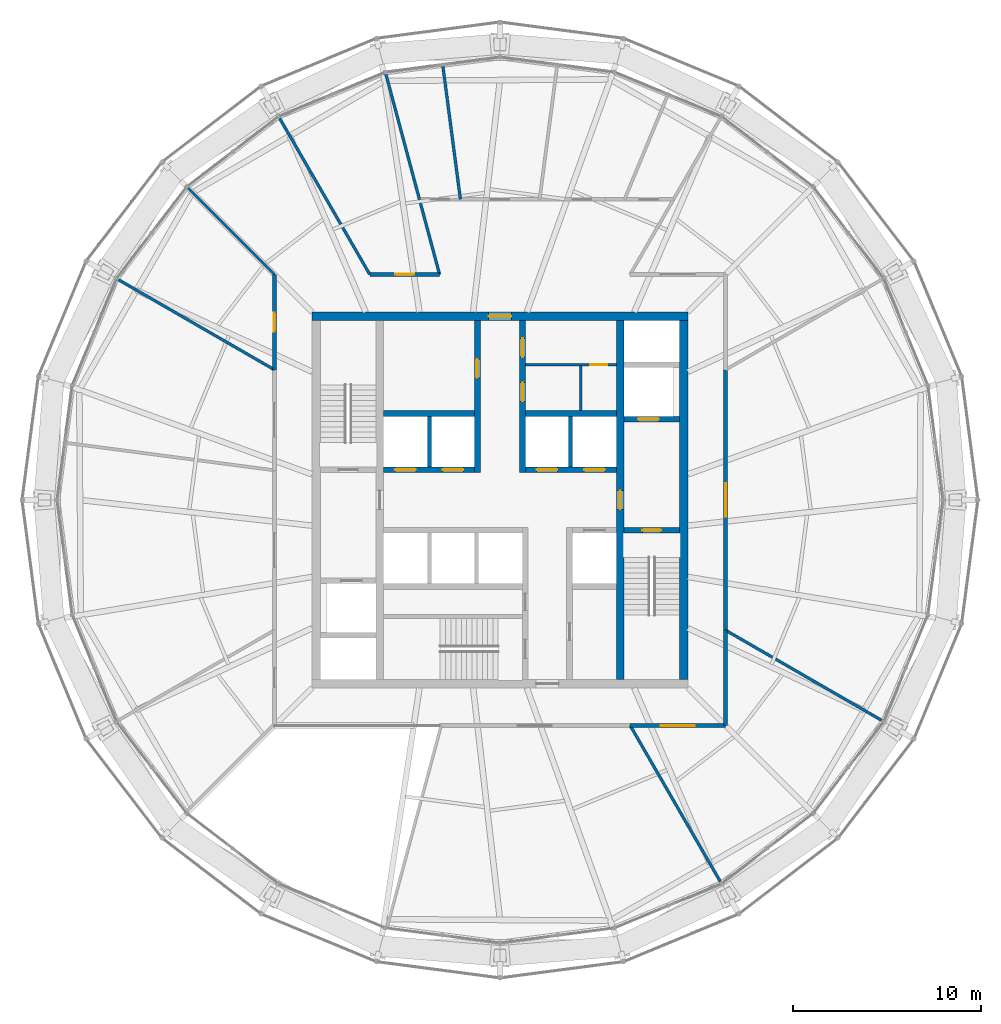
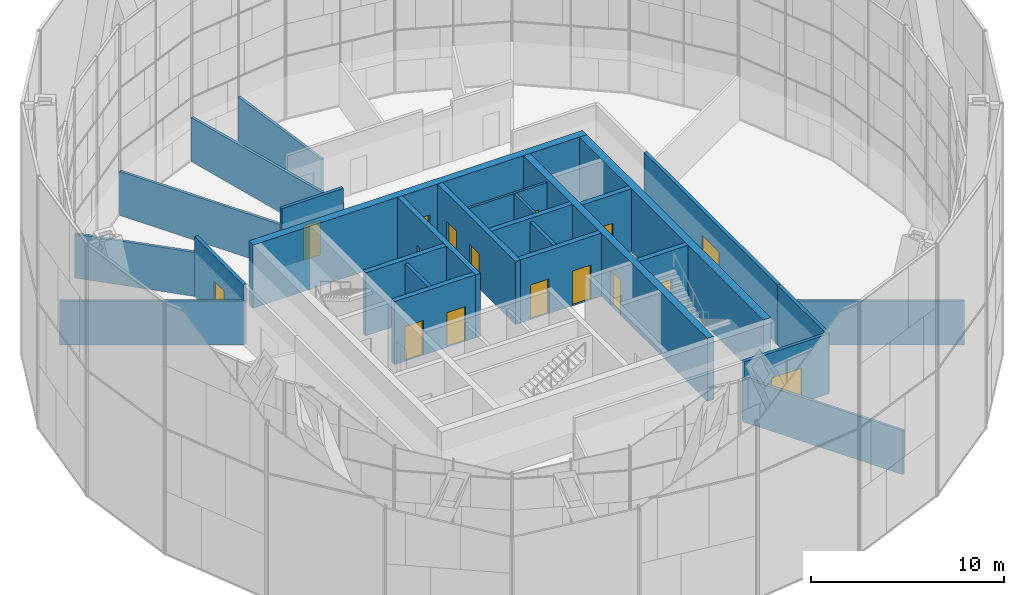
# One storey, part 24 of 26: 27 walls, 16 doors, 16 openings.
"""IFC4 building model written with IfcOpenShell, lengths in metres."""

from ifc_helpers import new_model, si_unit, direction, frame, frame_2d, origin, place, context, subcontext, project, spatial, rectangle, extrude, material, layer, layer_set, type_object, element, fill, save


model = new_model("IFC4")

# Units and contexts
model_context = context("Model", 3, precision=1e-05, world=origin(), true_north=direction((0.0, 1.0)))
body_context = subcontext(model_context, "Body", "Model", "MODEL_VIEW")
ifc_project = project(units=[si_unit("LENGTHUNIT", "METRE"), si_unit("AREAUNIT", "SQUARE_METRE"), si_unit("VOLUMEUNIT", "CUBIC_METRE"), si_unit("PLANEANGLEUNIT", "RADIAN"), si_unit("MASSUNIT", "GRAM", prefix="KILO")], contexts=[model_context])

# Site, building, storey
site_placement = place(None, origin())
site = spatial("IfcSite", under=ifc_project, at=site_placement, CompositionType="ELEMENT")
building_placement = place(site_placement, origin())
building = spatial("IfcBuilding", under=site, at=building_placement, Name="Golbaran Civic Tower", CompositionType="ELEMENT")
storey_placement = place(building_placement, frame((0.0, 0.0, 199.0)))
storey = spatial("IfcBuildingStorey", under=building, at=storey_placement, Name="L48", CompositionType="ELEMENT", Elevation=199.0)

# Wall, opening, door
ifc_material_1 = material(Name="Concrete block", Category="concrete")
ifc_layer_1 = layer(ifc_material_1, 0.14990234375, Name="Concrete block")
ifc_layer_set_1 = layer_set([ifc_layer_1], Name="Concrete block")
wall_type_1 = type_object("IfcWallType", Name="BLOCKWORK PARTITION 150", PredefinedType="PARTITIONING", material=ifc_layer_set_1)
wall_1_placement = place(storey_placement, frame((1.35009765625, 7.199951171875, 0.0), z_axis=(0.0, 0.0, 1.0), x_axis=(1.0, 0.0, 0.0)))
wall_1 = element("IfcWall", 1, at=wall_1_placement, inside=storey, type_object=wall_type_1, Name="Toilet block partition TN1 L48", PredefinedType="PARTITIONING", context=body_context, shape_type="SweptSolid", body=[
    extrude(rectangle(XDim=4.849853515625, YDim=0.14990234375, at=frame_2d((2.4248046875, 0.0))), origin(), (0.0, 0.0, 1.0), 3.75),
])
opening_1_placement = place(wall_1_placement, frame((3.449951171875, 0.0, 0.0)))
opening_1 = element("IfcOpeningElement", 2, at=opening_1_placement, cuts=wall_1, Name="Opening L48.CLN", PredefinedType="OPENING", context=body_context, shape_type="SweptSolid", body=[
    extrude(rectangle(XDim=0.89990234375, YDim=2.199951171875, at=frame_2d((0.449951171875, 1.10009765625))), frame((0.0, 0.0849609375, 0.0), z_axis=(0.0, -1.0, 0.0), x_axis=(1.0, 0.0, 0.0)), (0.0, 0.0, 1.0), 0.169921875),
])
ifc_material_2 = material(Name="Timber door set in steel frame", Category="steel")
door_type_1 = type_object("IfcDoorType", Name="RISER DOOR 900x2200", OperationType="SINGLE_SWING_LEFT", PredefinedType="DOOR", material=ifc_material_2)
door_1_placement = place(opening_1_placement, origin())
door_1 = element("IfcDoor", 3, at=door_1_placement, inside=storey, type_object=door_type_1, Name="Housekeeping Store door", OperationType="SINGLE_SWING_RIGHT", OverallHeight=2.199951171875, OverallWidth=0.89990234375, PredefinedType="DOOR", context=body_context, shape_type="SweptSolid", body=[
    extrude(rectangle(XDim=0.89990234375, YDim=2.199951171875, at=frame_2d((0.449951171875, 1.10009765625))), frame((0.0, 0.02490234375, 0.0), z_axis=(0.0, -1.0, 0.0), x_axis=(1.0, 0.0, 0.0)), (0.0, 0.0, 1.0), 0.050048828125),
])
fill(opening_1, door_1)

# Wall
wall_2_placement = place(storey_placement, frame((4.300048828125, 4.75, 0.0), z_axis=(0.0, 0.0, 1.0), x_axis=(0.0, 1.0, 0.0)))
element("IfcWall", 4, at=wall_2_placement, inside=storey, type_object=wall_type_1, Name="Toilet block partition TN2 L48", PredefinedType="PARTITIONING", context=body_context, shape_type="SweptSolid", body=[
    extrude(rectangle(XDim=2.375, YDim=0.14990234375, at=frame_2d((1.1875, 0.0))), origin(), (0.0, 0.0, 1.0), 3.75),
])

# Wall, opening, door
ifc_material_3 = material(Name="Concrete C50/60", Category="concrete")
ifc_layer_2 = layer(ifc_material_3, 0.39990234375, Name="Concrete C50/60")
ifc_layer_set_2 = layer_set([ifc_layer_2], Name="Concrete C50/60")
wall_type_2 = type_object("IfcWallType", Name="CORE WALL CONCRETE 400", PredefinedType="SOLIDWALL", material=ifc_layer_set_2)
wall_3_placement = place(storey_placement, frame((6.39990234375, 9.550048828125, 0.0), z_axis=(0.0, 0.0, 1.0), x_axis=(0.0, -1.0, 0.0)))
wall_3 = element("IfcWall", 5, at=wall_3_placement, inside=storey, type_object=wall_type_2, Name="Core wall IE L48", PredefinedType="SOLIDWALL", context=body_context, shape_type="SweptSolid", body=[
    extrude(rectangle(XDim=19.10009765625, YDim=0.39990234375, at=frame_2d((9.550048828125, 0.0))), origin(), (0.0, 0.0, 1.0), 4.0),
])
opening_2_placement = place(wall_3_placement, frame((9.050048828125, 0.0, 0.0)))
opening_2 = element("IfcOpeningElement", 6, at=opening_2_placement, cuts=wall_3, Name="Opening L48.FL2", PredefinedType="OPENING", context=body_context, shape_type="SweptSolid", body=[
    extrude(rectangle(XDim=1.0, YDim=2.199951171875, at=frame_2d((0.5, 1.10009765625))), frame((0.0, 0.2099609375, 0.0), z_axis=(0.0, -1.0, 0.0), x_axis=(1.0, 0.0, 0.0)), (0.0, 0.0, 1.0), 0.419921875),
])
door_type_2 = type_object("IfcDoorType", Name="STAIR DOOR 1000x2200", OperationType="SINGLE_SWING_LEFT", PredefinedType="DOOR", material=ifc_material_2)
door_2_placement = place(opening_2_placement, origin())
door_2 = element("IfcDoor", 7, at=door_2_placement, inside=storey, type_object=door_type_2, Name="Fire-fighting lobby FL2 door", OperationType="SINGLE_SWING_RIGHT", OverallHeight=2.199951171875, OverallWidth=1.0, PredefinedType="DOOR", context=body_context, shape_type="SweptSolid", body=[
    extrude(rectangle(XDim=1.0, YDim=2.199951171875, at=frame_2d((0.5, 1.10009765625))), frame((0.0, 0.02490234375, 0.0), z_axis=(0.0, -1.0, 0.0), x_axis=(1.0, 0.0, 0.0)), (0.0, 0.0, 1.0), 0.050048828125),
])
fill(opening_2, door_2)

ifc_layer_3 = layer(ifc_material_3, 0.449951171875, Name="Concrete C50/60")
ifc_layer_set_3 = layer_set([ifc_layer_3], Name="Concrete C50/60")
wall_type_3 = type_object("IfcWallType", Name="CORE WALL CONCRETE 450", PredefinedType="SOLIDWALL", material=ifc_layer_set_3)
wall_4_placement = place(storey_placement, frame((-10.0, 9.77490234375, 0.0), z_axis=(0.0, 0.0, 1.0), x_axis=(1.0, 0.0, 0.0)))
wall_4 = element("IfcWall", 8, at=wall_4_placement, inside=storey, type_object=wall_type_3, Name="Core wall CN L48", PredefinedType="SOLIDWALL", context=body_context, shape_type="SweptSolid", body=[
    extrude(rectangle(XDim=20.0, YDim=0.449951171875, at=frame_2d((10.0, 0.0))), origin(), (0.0, 0.0, 1.0), 4.0),
])
opening_3_placement = place(wall_4_placement, frame((9.39990234375, 0.0, 0.0)))
opening_3 = element("IfcOpeningElement", 9, at=opening_3_placement, cuts=wall_4, Name="Opening L48.CN", PredefinedType="OPENING", context=body_context, shape_type="SweptSolid", body=[
    extrude(rectangle(XDim=1.199951171875, YDim=2.199951171875, at=frame_2d((0.60009765625, 1.10009765625))), frame((0.0, 0.23486328125, 0.0), z_axis=(0.0, -1.0, 0.0), x_axis=(1.0, 0.0, 0.0)), (0.0, 0.0, 1.0), 0.469970703125),
])
door_type_3 = type_object("IfcDoorType", Name="CORE DOOR 1200x2200", OperationType="DOUBLE_DOOR_SINGLE_SWING", PredefinedType="DOOR", material=ifc_material_2)
door_3_placement = place(opening_3_placement, origin())
door_3 = element("IfcDoor", 10, at=door_3_placement, inside=storey, type_object=door_type_3, Name="Core door north", OperationType="DOUBLE_DOOR_SINGLE_SWING", OverallHeight=2.199951171875, OverallWidth=1.199951171875, PredefinedType="DOOR", context=body_context, shape_type="SweptSolid", body=[
    extrude(rectangle(XDim=1.199951171875, YDim=2.199951171875, at=frame_2d((0.60009765625, 1.10009765625))), frame((0.0, 0.02490234375, 0.0), z_axis=(0.0, -1.0, 0.0), x_axis=(1.0, 0.0, 0.0)), (0.0, 0.0, 1.0), 0.050048828125),
])
fill(opening_3, door_3)

# Wall
wall_5_placement = place(storey_placement, frame((9.77490234375, -9.550048828125, 0.0), z_axis=(0.0, 0.0, 1.0), x_axis=(0.0, 1.0, 0.0)))
element("IfcWall", 11, at=wall_5_placement, inside=storey, type_object=wall_type_3, Name="Core wall CE L48", PredefinedType="SOLIDWALL", context=body_context, shape_type="SweptSolid", body=[
    extrude(rectangle(XDim=19.10009765625, YDim=0.449951171875, at=frame_2d((9.550048828125, 0.0))), origin(), (0.0, 0.0, 1.0), 4.0),
])

# Wall, opening, door
ifc_material_4 = material(Name="Gypsum board on steel studs, fire-rated", Category="steel")
ifc_layer_4 = layer(ifc_material_4, 0.199951171875, Name="Gypsum board on steel studs, fire-rated")
ifc_layer_set_4 = layer_set([ifc_layer_4], Name="Gypsum board on steel studs, fire-rated")
wall_type_4 = type_object("IfcWallType", Name="CORRIDOR WALL 200", PredefinedType="PARTITIONING", material=ifc_layer_set_4)
wall_6_placement = place(storey_placement, frame((12.0, -6.92822265625, 0.0), z_axis=(0.0, 0.0, 1.0), x_axis=(0.0, 1.0, 0.0)))
wall_6 = element("IfcWall", 12, at=wall_6_placement, inside=storey, type_object=wall_type_4, Name="Corridor wall L48", PredefinedType="PARTITIONING", context=body_context, shape_type="SweptSolid", body=[
    extrude(rectangle(XDim=13.8564453125, YDim=0.199951171875, at=frame_2d((6.92822265625, 0.0))), origin(), (0.0, 0.0, 1.0), 3.800048828125),
])
opening_4_placement = place(wall_6_placement, frame((6.0283203125, 0.0, 0.0)))
opening_4 = element("IfcOpeningElement", 13, at=opening_4_placement, cuts=wall_6, Name="Opening L48.05", PredefinedType="OPENING", context=body_context, shape_type="SweptSolid", body=[
    extrude(rectangle(XDim=1.800048828125, YDim=2.199951171875, at=frame_2d((0.89990234375, 1.10009765625))), frame((0.0, 0.10986328125, 0.0), z_axis=(0.0, -1.0, 0.0), x_axis=(1.0, 0.0, 0.0)), (0.0, 0.0, 1.0), 0.219970703125),
])
door_type_4 = type_object("IfcDoorType", Name="OFFICE DOUBLE DOOR 1800x2200", OperationType="DOUBLE_DOOR_SINGLE_SWING", PredefinedType="DOOR", material=ifc_material_2)
door_4_placement = place(opening_4_placement, origin())
door_4 = element("IfcDoor", 14, at=door_4_placement, inside=storey, type_object=door_type_4, Name="Open Office door L48", OperationType="DOUBLE_DOOR_SINGLE_SWING", OverallHeight=2.199951171875, OverallWidth=1.800048828125, PredefinedType="DOOR", context=body_context, shape_type="SweptSolid", body=[
    extrude(rectangle(XDim=1.800048828125, YDim=2.199951171875, at=frame_2d((0.89990234375, 1.10009765625))), frame((0.0, 0.02490234375, 0.0), z_axis=(0.0, -1.0, 0.0), x_axis=(1.0, 0.0, 0.0)), (0.0, 0.0, 1.0), 0.050048828125),
])
fill(opening_4, door_4)

wall_7_placement = place(storey_placement, frame((-3.21533203125, 12.0, 0.0), z_axis=(0.0, 0.0, 1.0), x_axis=(-1.0, 0.0, 0.0)))
wall_7 = element("IfcWall", 15, at=wall_7_placement, inside=storey, type_object=wall_type_4, Name="Corridor wall L48", PredefinedType="PARTITIONING", context=body_context, shape_type="SweptSolid", body=[
    extrude(rectangle(XDim=3.712890625, YDim=0.199951171875, at=frame_2d((1.8564453125, 0.0))), origin(), (0.0, 0.0, 1.0), 3.800048828125),
])
opening_5_placement = place(wall_7_placement, frame((1.3564453125, 0.0, 0.0)))
opening_5 = element("IfcOpeningElement", 16, at=opening_5_placement, cuts=wall_7, Name="Opening L48.07", PredefinedType="OPENING", context=body_context, shape_type="SweptSolid", body=[
    extrude(rectangle(XDim=1.0, YDim=2.199951171875, at=frame_2d((0.5, 1.10009765625))), frame((0.0, 0.10986328125, 0.0), z_axis=(0.0, -1.0, 0.0), x_axis=(1.0, 0.0, 0.0)), (0.0, 0.0, 1.0), 0.219970703125),
])
door_type_5 = type_object("IfcDoorType", Name="OFFICE DOOR 1000x2200", OperationType="SINGLE_SWING_LEFT", PredefinedType="DOOR", material=ifc_material_2)
door_5_placement = place(opening_5_placement, origin())
door_5 = element("IfcDoor", 17, at=door_5_placement, inside=storey, type_object=door_type_5, Name="Meeting Room door L48", OperationType="SINGLE_SWING_RIGHT", OverallHeight=2.199951171875, OverallWidth=1.0, PredefinedType="DOOR", context=body_context, shape_type="SweptSolid", body=[
    extrude(rectangle(XDim=1.0, YDim=2.199951171875, at=frame_2d((0.5, 1.10009765625))), frame((0.0, 0.02490234375, 0.0), z_axis=(0.0, -1.0, 0.0), x_axis=(1.0, 0.0, 0.0)), (0.0, 0.0, 1.0), 0.050048828125),
])
fill(opening_5, door_5)

wall_8_placement = place(storey_placement, frame((-12.0, 12.0, 0.0), z_axis=(0.0, 0.0, 1.0), x_axis=(0.0, -1.0, 0.0)))
wall_8 = element("IfcWall", 18, at=wall_8_placement, inside=storey, type_object=wall_type_4, Name="Corridor wall L48", PredefinedType="PARTITIONING", context=body_context, shape_type="SweptSolid", body=[
    extrude(rectangle(XDim=5.07177734375, YDim=0.199951171875, at=frame_2d((2.535888671875, 0.0))), origin(), (0.0, 0.0, 1.0), 3.800048828125),
])
opening_6_placement = place(wall_8_placement, frame((2.035888671875, 0.0, 0.0)))
opening_6 = element("IfcOpeningElement", 19, at=opening_6_placement, cuts=wall_8, Name="Opening L48.08", PredefinedType="OPENING", context=body_context, shape_type="SweptSolid", body=[
    extrude(rectangle(XDim=1.0, YDim=2.199951171875, at=frame_2d((0.5, 1.10009765625))), frame((0.0, 0.10986328125, 0.0), z_axis=(0.0, -1.0, 0.0), x_axis=(1.0, 0.0, 0.0)), (0.0, 0.0, 1.0), 0.219970703125),
])
door_6_placement = place(opening_6_placement, origin())
door_6 = element("IfcDoor", 20, at=door_6_placement, inside=storey, type_object=door_type_5, Name="Interview Room door L48", OperationType="SINGLE_SWING_RIGHT", OverallHeight=2.199951171875, OverallWidth=1.0, PredefinedType="DOOR", context=body_context, shape_type="SweptSolid", body=[
    extrude(rectangle(XDim=1.0, YDim=2.199951171875, at=frame_2d((0.5, 1.10009765625))), frame((0.0, 0.02490234375, 0.0), z_axis=(0.0, -1.0, 0.0), x_axis=(1.0, 0.0, 0.0)), (0.0, 0.0, 1.0), 0.050048828125),
])
fill(opening_6, door_6)

wall_9_placement = place(storey_placement, frame((6.92822265625, -12.0, 0.0), z_axis=(0.0, 0.0, 1.0), x_axis=(1.0, 0.0, 0.0)))
wall_9 = element("IfcWall", 21, at=wall_9_placement, inside=storey, type_object=wall_type_4, Name="Corridor wall L48", PredefinedType="PARTITIONING", context=body_context, shape_type="SweptSolid", body=[
    extrude(rectangle(XDim=5.07177734375, YDim=0.199951171875, at=frame_2d((2.535888671875, 0.0))), origin(), (0.0, 0.0, 1.0), 3.800048828125),
])
opening_7_placement = place(wall_9_placement, frame((1.635986328125, 0.0, 0.0)))
opening_7 = element("IfcOpeningElement", 22, at=opening_7_placement, cuts=wall_9, Name="Opening L48.13", PredefinedType="OPENING", context=body_context, shape_type="SweptSolid", body=[
    extrude(rectangle(XDim=1.800048828125, YDim=2.199951171875, at=frame_2d((0.89990234375, 1.10009765625))), frame((0.0, 0.10986328125, 0.0), z_axis=(0.0, -1.0, 0.0), x_axis=(1.0, 0.0, 0.0)), (0.0, 0.0, 1.0), 0.219970703125),
])
door_7_placement = place(opening_7_placement, origin())
door_7 = element("IfcDoor", 23, at=door_7_placement, inside=storey, type_object=door_type_4, Name="Open Office door L48", OperationType="DOUBLE_DOOR_SINGLE_SWING", OverallHeight=2.199951171875, OverallWidth=1.800048828125, PredefinedType="DOOR", context=body_context, shape_type="SweptSolid", body=[
    extrude(rectangle(XDim=1.800048828125, YDim=2.199951171875, at=frame_2d((0.89990234375, 1.10009765625))), frame((0.0, 0.02490234375, 0.0), z_axis=(0.0, -1.0, 0.0), x_axis=(1.0, 0.0, 0.0)), (0.0, 0.0, 1.0), 0.050048828125),
])
fill(opening_7, door_7)

# Walls
wall_10_placement = place(storey_placement, frame((12.0, -12.0, 0.0), z_axis=(0.0, 0.0, 1.0), x_axis=(0.0, 1.0, 0.0)))
element("IfcWall", 24, at=wall_10_placement, inside=storey, type_object=wall_type_4, Name="Corridor wall L48", PredefinedType="PARTITIONING", context=body_context, shape_type="SweptSolid", body=[
    extrude(rectangle(XDim=5.07177734375, YDim=0.199951171875, at=frame_2d((2.535888671875, 0.0))), origin(), (0.0, 0.0, 1.0), 3.800048828125),
])
ifc_layer_5 = layer(ifc_material_1, 0.199951171875, Name="Concrete block")
ifc_layer_set_5 = layer_set([ifc_layer_5], Name="Concrete block")
wall_type_5 = type_object("IfcWallType", Name="LIFT SEPARATOR WALL 200", PredefinedType="SOLIDWALL", material=ifc_layer_set_5)
for number, where, z_axis, x_axis, name in (
    (25, (-3.75, 1.75, 0.0), (0.0, 0.0, 1.0), (0.0, 1.0, 0.0), "Core partition SNW L48"),
    (26, (3.75, 1.75, 0.0), (0.0, 0.0, 1.0), (0.0, 1.0, 0.0), "Core partition SNE L48"),
):
    element("IfcWall", number, at=place(storey_placement, frame(where, z_axis=z_axis, x_axis=x_axis)), inside=storey, type_object=wall_type_5, Name=name, PredefinedType="SOLIDWALL", context=body_context, shape_type="SweptSolid", body=[
        extrude(rectangle(XDim=2.699951171875, YDim=0.199951171875, at=frame_2d((1.35009765625, 0.0))), origin(), (0.0, 0.0, 1.0), 3.75),
    ])
ifc_material_5 = material(Name="Gypsum board on steel studs", Category="steel")
ifc_layer_6 = layer(ifc_material_5, 0.14990234375, Name="Gypsum board on steel studs")
ifc_layer_set_6 = layer_set([ifc_layer_6], Name="Gypsum board on steel studs")
wall_type_6 = type_object("IfcWallType", Name="OFFICE PARTITION 150", PredefinedType="PARTITIONING", material=ifc_layer_set_6)
wall_11_placement = place(storey_placement, frame((12.0, -6.92822265625, 0.0), z_axis=(0.0, 0.0, 1.0), x_axis=(0.866030904871, -0.499990471717, 0.0)))
element("IfcWall", 27, at=wall_11_placement, inside=storey, type_object=wall_type_6, Name="Partition 330 L48", PredefinedType="PARTITIONING", context=body_context, shape_type="SweptSolid", body=[
    extrude(rectangle(XDim=9.619873046875, YDim=0.14990234375, at=frame_2d((4.81005859375, 0.0))), origin(), (0.0, 0.0, 1.0), 2.7900390625),
])
wall_12_placement = place(storey_placement, frame((-3.21533203125, 12.0, 0.0), z_axis=(0.0, 0.0, 1.0), x_axis=(-0.258831035528, 0.965922613384, 0.0)))
element("IfcWall", 28, at=wall_12_placement, inside=storey, type_object=wall_type_6, Name="Partition 105 L48", PredefinedType="PARTITIONING", context=body_context, shape_type="SweptSolid", body=[
    extrude(rectangle(XDim=11.052978515625, YDim=0.14990234375, at=frame_2d((5.5263671875, 0.0))), origin(), (0.0, 0.0, 1.0), 2.7900390625),
])
wall_13_placement = place(storey_placement, frame((-6.92822265625, 12.0, 0.0), z_axis=(0.0, 0.0, 1.0), x_axis=(-0.499990471717, 0.866030904871, 0.0)))
element("IfcWall", 29, at=wall_13_placement, inside=storey, type_object=wall_type_6, Name="Partition 120 L48", PredefinedType="PARTITIONING", context=body_context, shape_type="SweptSolid", body=[
    extrude(rectangle(XDim=9.619873046875, YDim=0.14990234375, at=frame_2d((4.81005859375, 0.0))), origin(), (0.0, 0.0, 1.0), 2.7900390625),
])
wall_14_placement = place(storey_placement, frame((-12.0, 12.0, 0.0), z_axis=(0.0, 0.0, 1.0), x_axis=(-0.707106781187, 0.707106781187, 0.0)))
element("IfcWall", 30, at=wall_14_placement, inside=storey, type_object=wall_type_6, Name="Partition 135 L48", PredefinedType="PARTITIONING", context=body_context, shape_type="SweptSolid", body=[
    extrude(rectangle(XDim=6.505615234375, YDim=0.14990234375, at=frame_2d((3.2529296875, 0.0))), origin(), (0.0, 0.0, 1.0), 2.7900390625),
])
for number, where, z_axis, x_axis, name in (
    (31, (-12.0, 6.92822265625, 0.0), (0.0, 0.0, 1.0), (-0.866030904871, 0.499990471717, 0.0), "Partition 150 L48"),
    (32, (6.92822265625, -12.0, 0.0), (0.0, 0.0, 1.0), (0.499990471717, -0.866030904871, 0.0), "Partition 300 L48"),
):
    element("IfcWall", number, at=place(storey_placement, frame(where, z_axis=z_axis, x_axis=x_axis)), inside=storey, type_object=wall_type_6, Name=name, PredefinedType="PARTITIONING", context=body_context, shape_type="SweptSolid", body=[
        extrude(rectangle(XDim=9.619873046875, YDim=0.14990234375, at=frame_2d((4.81005859375, 0.0))), origin(), (0.0, 0.0, 1.0), 2.7900390625),
    ])
wall_15_placement = place(storey_placement, frame((-2.1064453125, 16.0, 0.0), z_axis=(0.0, 0.0, 1.0), x_axis=(-0.130532379334, 0.991444046805, 0.0)))
element("IfcWall", 33, at=wall_15_placement, inside=storey, type_object=wall_type_6, Name="Partition 97.5 L48", PredefinedType="PARTITIONING", context=body_context, shape_type="SweptSolid", body=[
    extrude(rectangle(XDim=7.13720703125, YDim=0.14990234375, at=frame_2d((3.568603515625, 0.0))), origin(), (0.0, 0.0, 1.0), 2.7900390625),
])

# Wall, openings, doors
ifc_layer_7 = layer(ifc_material_3, 0.300048828125, Name="Concrete C50/60")
ifc_layer_set_7 = layer_set([ifc_layer_7], Name="Concrete C50/60")
wall_type_7 = type_object("IfcWallType", Name="SHAFT WALL CONCRETE 300", PredefinedType="SOLIDWALL", material=ifc_layer_set_7)
wall_16_placement = place(storey_placement, frame((-6.199951171875, 1.60009765625, 0.0), z_axis=(0.0, 0.0, 1.0), x_axis=(1.0, 0.0, 0.0)))
wall_16 = element("IfcWall", 34, at=wall_16_placement, inside=storey, type_object=wall_type_7, Name="Core wall FNW L48", PredefinedType="SOLIDWALL", context=body_context, shape_type="SweptSolid", body=[
    extrude(rectangle(XDim=4.849853515625, YDim=0.300048828125, at=frame_2d((2.4248046875, 0.0))), origin(), (0.0, 0.0, 1.0), 4.0),
])
opening_8_placement = place(wall_16_placement, frame((0.625, 0.0, 0.0)))
opening_8 = element("IfcOpeningElement", 35, at=opening_8_placement, cuts=wall_16, Name="Opening L48.LD-Z1H", PredefinedType="OPENING", context=body_context, shape_type="SweptSolid", body=[
    extrude(rectangle(XDim=1.10009765625, YDim=2.199951171875, at=frame_2d((0.550048828125, 1.10009765625))), frame((0.0, 0.159912109375, 0.0), z_axis=(0.0, -1.0, 0.0), x_axis=(1.0, 0.0, 0.0)), (0.0, 0.0, 1.0), 0.320068359375),
])
opening_9_placement = place(wall_16_placement, frame((3.14990234375, 0.0, 0.0)))
opening_9 = element("IfcOpeningElement", 36, at=opening_9_placement, cuts=wall_16, Name="Opening L48.LD-Z2H", PredefinedType="OPENING", context=body_context, shape_type="SweptSolid", body=[
    extrude(rectangle(XDim=1.10009765625, YDim=2.199951171875, at=frame_2d((0.550048828125, 1.10009765625))), frame((0.0, 0.159912109375, 0.0), z_axis=(0.0, -1.0, 0.0), x_axis=(1.0, 0.0, 0.0)), (0.0, 0.0, 1.0), 0.320068359375),
])
ifc_material_6 = material(Name="Stainless steel", Category="steel")
door_type_6 = type_object("IfcDoorType", Name="LIFT LANDING DOOR 1100x2200", OperationType="SLIDING_TO_LEFT", PredefinedType="DOOR", material=ifc_material_6)
door_8_placement = place(opening_8_placement, origin())
door_8 = element("IfcDoor", 37, at=door_8_placement, inside=storey, type_object=door_type_6, Name="Lift landing door Z1H", OperationType="SLIDING_TO_LEFT", OverallHeight=2.199951171875, OverallWidth=1.10009765625, PredefinedType="DOOR", context=body_context, shape_type="SweptSolid", body=[
    extrude(rectangle(XDim=1.10009765625, YDim=2.199951171875, at=frame_2d((0.550048828125, 1.10009765625))), frame((0.0, 0.02490234375, 0.0), z_axis=(0.0, -1.0, 0.0), x_axis=(1.0, 0.0, 0.0)), (0.0, 0.0, 1.0), 0.050048828125),
])
fill(opening_8, door_8)
door_9_placement = place(opening_9_placement, origin())
door_9 = element("IfcDoor", 38, at=door_9_placement, inside=storey, type_object=door_type_6, Name="Lift landing door Z2H", OperationType="SLIDING_TO_LEFT", OverallHeight=2.199951171875, OverallWidth=1.10009765625, PredefinedType="DOOR", context=body_context, shape_type="SweptSolid", body=[
    extrude(rectangle(XDim=1.10009765625, YDim=2.199951171875, at=frame_2d((0.550048828125, 1.10009765625))), frame((0.0, 0.02490234375, 0.0), z_axis=(0.0, -1.0, 0.0), x_axis=(1.0, 0.0, 0.0)), (0.0, 0.0, 1.0), 0.050048828125),
])
fill(opening_9, door_9)

wall_17_placement = place(storey_placement, frame((1.35009765625, 1.60009765625, 0.0), z_axis=(0.0, 0.0, 1.0), x_axis=(1.0, 0.0, 0.0)))
wall_17 = element("IfcWall", 39, at=wall_17_placement, inside=storey, type_object=wall_type_7, Name="Core wall FNE L48", PredefinedType="SOLIDWALL", context=body_context, shape_type="SweptSolid", body=[
    extrude(rectangle(XDim=4.849853515625, YDim=0.300048828125, at=frame_2d((2.4248046875, 0.0))), origin(), (0.0, 0.0, 1.0), 4.0),
])
opening_10_placement = place(wall_17_placement, frame((0.60009765625, 0.0, 0.0)))
opening_10 = element("IfcOpeningElement", 40, at=opening_10_placement, cuts=wall_17, Name="Opening L48.LD-Z3H", PredefinedType="OPENING", context=body_context, shape_type="SweptSolid", body=[
    extrude(rectangle(XDim=1.10009765625, YDim=2.199951171875, at=frame_2d((0.550048828125, 1.10009765625))), frame((0.0, 0.159912109375, 0.0), z_axis=(0.0, -1.0, 0.0), x_axis=(1.0, 0.0, 0.0)), (0.0, 0.0, 1.0), 0.320068359375),
])
opening_11_placement = place(wall_17_placement, frame((3.125, 0.0, 0.0)))
opening_11 = element("IfcOpeningElement", 41, at=opening_11_placement, cuts=wall_17, Name="Opening L48.LD-Z4H", PredefinedType="OPENING", context=body_context, shape_type="SweptSolid", body=[
    extrude(rectangle(XDim=1.10009765625, YDim=2.199951171875, at=frame_2d((0.550048828125, 1.10009765625))), frame((0.0, 0.159912109375, 0.0), z_axis=(0.0, -1.0, 0.0), x_axis=(1.0, 0.0, 0.0)), (0.0, 0.0, 1.0), 0.320068359375),
])
door_10_placement = place(opening_10_placement, origin())
door_10 = element("IfcDoor", 42, at=door_10_placement, inside=storey, type_object=door_type_6, Name="Lift landing door Z3H", OperationType="SLIDING_TO_LEFT", OverallHeight=2.199951171875, OverallWidth=1.10009765625, PredefinedType="DOOR", context=body_context, shape_type="SweptSolid", body=[
    extrude(rectangle(XDim=1.10009765625, YDim=2.199951171875, at=frame_2d((0.550048828125, 1.10009765625))), frame((0.0, 0.02490234375, 0.0), z_axis=(0.0, -1.0, 0.0), x_axis=(1.0, 0.0, 0.0)), (0.0, 0.0, 1.0), 0.050048828125),
])
fill(opening_10, door_10)
door_11_placement = place(opening_11_placement, origin())
door_11 = element("IfcDoor", 43, at=door_11_placement, inside=storey, type_object=door_type_6, Name="Lift landing door Z4H", OperationType="SLIDING_TO_LEFT", OverallHeight=2.199951171875, OverallWidth=1.10009765625, PredefinedType="DOOR", context=body_context, shape_type="SweptSolid", body=[
    extrude(rectangle(XDim=1.10009765625, YDim=2.199951171875, at=frame_2d((0.550048828125, 1.10009765625))), frame((0.0, 0.02490234375, 0.0), z_axis=(0.0, -1.0, 0.0), x_axis=(1.0, 0.0, 0.0)), (0.0, 0.0, 1.0), 0.050048828125),
])
fill(opening_11, door_11)

# Walls
for number, where, z_axis, x_axis, name in (
    (44, (-6.199951171875, 4.60009765625, 0.0), (0.0, 0.0, 1.0), (1.0, 0.0, 0.0), "Core wall BNW L48"),
    (45, (1.35009765625, 4.60009765625, 0.0), (0.0, 0.0, 1.0), (1.0, 0.0, 0.0), "Core wall BNE L48"),
):
    element("IfcWall", number, at=place(storey_placement, frame(where, z_axis=z_axis, x_axis=x_axis)), inside=storey, type_object=wall_type_7, Name=name, PredefinedType="SOLIDWALL", context=body_context, shape_type="SweptSolid", body=[
        extrude(rectangle(XDim=4.849853515625, YDim=0.300048828125, at=frame_2d((2.4248046875, 0.0))), origin(), (0.0, 0.0, 1.0), 4.0),
    ])

# Wall, opening, door
wall_18_placement = place(storey_placement, frame((-1.199951171875, 1.449951171875, 0.0), z_axis=(0.0, 0.0, 1.0), x_axis=(0.0, 1.0, 0.0)))
wall_18 = element("IfcWall", 46, at=wall_18_placement, inside=storey, type_object=wall_type_7, Name="Core wall PNW L48", PredefinedType="SOLIDWALL", context=body_context, shape_type="SweptSolid", body=[
    extrude(rectangle(XDim=8.10009765625, YDim=0.300048828125, at=frame_2d((4.050048828125, 0.0))), origin(), (0.0, 0.0, 1.0), 4.0),
])
opening_12_placement = place(wall_18_placement, frame((5.050048828125, 0.0, 0.0)))
opening_12 = element("IfcOpeningElement", 47, at=opening_12_placement, cuts=wall_18, Name="Opening L48.WCM", PredefinedType="OPENING", context=body_context, shape_type="SweptSolid", body=[
    extrude(rectangle(XDim=1.0, YDim=2.199951171875, at=frame_2d((0.5, 1.10009765625))), frame((0.0, 0.159912109375, 0.0), z_axis=(0.0, -1.0, 0.0), x_axis=(1.0, 0.0, 0.0)), (0.0, 0.0, 1.0), 0.320068359375),
])
door_type_7 = type_object("IfcDoorType", Name="TOILET DOOR 1000x2200", OperationType="SINGLE_SWING_LEFT", PredefinedType="DOOR", material=ifc_material_2)
door_12_placement = place(opening_12_placement, origin())
door_12 = element("IfcDoor", 48, at=door_12_placement, inside=storey, type_object=door_type_7, Name="North-west toilet block door", OperationType="SINGLE_SWING_RIGHT", OverallHeight=2.199951171875, OverallWidth=1.0, PredefinedType="DOOR", context=body_context, shape_type="SweptSolid", body=[
    extrude(rectangle(XDim=1.0, YDim=2.199951171875, at=frame_2d((0.5, 1.10009765625))), frame((0.0, 0.02490234375, 0.0), z_axis=(0.0, -1.0, 0.0), x_axis=(1.0, 0.0, 0.0)), (0.0, 0.0, 1.0), 0.050048828125),
])
fill(opening_12, door_12)

# Wall, openings, doors
wall_19_placement = place(storey_placement, frame((1.199951171875, 1.449951171875, 0.0), z_axis=(0.0, 0.0, 1.0), x_axis=(0.0, 1.0, 0.0)))
wall_19 = element("IfcWall", 49, at=wall_19_placement, inside=storey, type_object=wall_type_7, Name="Core wall PNE L48", PredefinedType="SOLIDWALL", context=body_context, shape_type="SweptSolid", body=[
    extrude(rectangle(XDim=8.10009765625, YDim=0.300048828125, at=frame_2d((4.050048828125, 0.0))), origin(), (0.0, 0.0, 1.0), 4.0),
])
opening_13_placement = place(wall_19_placement, frame((3.800048828125, 0.0, 0.0)))
opening_13 = element("IfcOpeningElement", 50, at=opening_13_placement, cuts=wall_19, Name="Opening L48.WCA", PredefinedType="OPENING", context=body_context, shape_type="SweptSolid", body=[
    extrude(rectangle(XDim=1.0, YDim=2.199951171875, at=frame_2d((0.5, 1.10009765625))), frame((0.0, 0.159912109375, 0.0), z_axis=(0.0, -1.0, 0.0), x_axis=(1.0, 0.0, 0.0)), (0.0, 0.0, 1.0), 0.320068359375),
])
opening_14_placement = place(wall_19_placement, frame((6.14990234375, 0.0, 0.0)))
opening_14 = element("IfcOpeningElement", 51, at=opening_14_placement, cuts=wall_19, Name="Opening L48.WCF", PredefinedType="OPENING", context=body_context, shape_type="SweptSolid", body=[
    extrude(rectangle(XDim=1.0, YDim=2.199951171875, at=frame_2d((0.5, 1.10009765625))), frame((0.0, 0.159912109375, 0.0), z_axis=(0.0, -1.0, 0.0), x_axis=(1.0, 0.0, 0.0)), (0.0, 0.0, 1.0), 0.320068359375),
])
door_13_placement = place(opening_13_placement, origin())
door_13 = element("IfcDoor", 52, at=door_13_placement, inside=storey, type_object=door_type_7, Name="Accessible WC door", OperationType="SINGLE_SWING_RIGHT", OverallHeight=2.199951171875, OverallWidth=1.0, PredefinedType="DOOR", context=body_context, shape_type="SweptSolid", body=[
    extrude(rectangle(XDim=1.0, YDim=2.199951171875, at=frame_2d((0.5, 1.10009765625))), frame((0.0, 0.02490234375, 0.0), z_axis=(0.0, -1.0, 0.0), x_axis=(1.0, 0.0, 0.0)), (0.0, 0.0, 1.0), 0.050048828125),
])
fill(opening_13, door_13)
door_14_placement = place(opening_14_placement, origin())
door_14 = element("IfcDoor", 53, at=door_14_placement, inside=storey, type_object=door_type_7, Name="North-east toilet block door", OperationType="SINGLE_SWING_RIGHT", OverallHeight=2.199951171875, OverallWidth=1.0, PredefinedType="DOOR", context=body_context, shape_type="SweptSolid", body=[
    extrude(rectangle(XDim=1.0, YDim=2.199951171875, at=frame_2d((0.5, 1.10009765625))), frame((0.0, 0.02490234375, 0.0), z_axis=(0.0, -1.0, 0.0), x_axis=(1.0, 0.0, 0.0)), (0.0, 0.0, 1.0), 0.050048828125),
])
fill(opening_14, door_14)

# Wall, opening, door
wall_20_placement = place(storey_placement, frame((6.60009765625, -1.60009765625, 0.0), z_axis=(0.0, 0.0, 1.0), x_axis=(1.0, 0.0, 0.0)))
wall_20 = element("IfcWall", 54, at=wall_20_placement, inside=storey, type_object=wall_type_7, Name="Core wall XE1 L48", PredefinedType="SOLIDWALL", context=body_context, shape_type="SweptSolid", body=[
    extrude(rectangle(XDim=2.949951171875, YDim=0.300048828125, at=frame_2d((1.47509765625, 0.0))), origin(), (0.0, 0.0, 1.0), 4.0),
])
opening_15_placement = place(wall_20_placement, frame((0.97509765625, 0.0, 0.0)))
opening_15 = element("IfcOpeningElement", 55, at=opening_15_placement, cuts=wall_20, Name="Opening L48.S2", PredefinedType="OPENING", context=body_context, shape_type="SweptSolid", body=[
    extrude(rectangle(XDim=1.0, YDim=2.199951171875, at=frame_2d((0.5, 1.10009765625))), frame((0.0, 0.159912109375, 0.0), z_axis=(0.0, -1.0, 0.0), x_axis=(1.0, 0.0, 0.0)), (0.0, 0.0, 1.0), 0.320068359375),
])
door_15_placement = place(opening_15_placement, origin())
door_15 = element("IfcDoor", 56, at=door_15_placement, inside=storey, type_object=door_type_2, Name="Stair S2 door", OperationType="SINGLE_SWING_LEFT", OverallHeight=2.199951171875, OverallWidth=1.0, PredefinedType="DOOR", context=body_context, shape_type="SweptSolid", body=[
    extrude(rectangle(XDim=1.0, YDim=2.199951171875, at=frame_2d((0.5, 1.10009765625))), frame((0.0, 0.02490234375, 0.0), z_axis=(0.0, -1.0, 0.0), x_axis=(1.0, 0.0, 0.0)), (0.0, 0.0, 1.0), 0.050048828125),
])
fill(opening_15, door_15)

wall_21_placement = place(storey_placement, frame((6.60009765625, 4.300048828125, 0.0), z_axis=(0.0, 0.0, 1.0), x_axis=(1.0, 0.0, 0.0)))
wall_21 = element("IfcWall", 57, at=wall_21_placement, inside=storey, type_object=wall_type_7, Name="Core wall XE2 L48", PredefinedType="SOLIDWALL", context=body_context, shape_type="SweptSolid", body=[
    extrude(rectangle(XDim=2.949951171875, YDim=0.300048828125, at=frame_2d((1.47509765625, 0.0))), origin(), (0.0, 0.0, 1.0), 4.0),
])
opening_16_placement = place(wall_21_placement, frame((0.75, 0.0, 0.0)))
opening_16 = element("IfcOpeningElement", 58, at=opening_16_placement, cuts=wall_21, Name="Opening L48.LD-F2", PredefinedType="OPENING", context=body_context, shape_type="SweptSolid", body=[
    extrude(rectangle(XDim=1.10009765625, YDim=2.199951171875, at=frame_2d((0.550048828125, 1.10009765625))), frame((0.0, 0.159912109375, 0.0), z_axis=(0.0, -1.0, 0.0), x_axis=(1.0, 0.0, 0.0)), (0.0, 0.0, 1.0), 0.320068359375),
])
door_16_placement = place(opening_16_placement, origin())
door_16 = element("IfcDoor", 59, at=door_16_placement, inside=storey, type_object=door_type_6, Name="Lift landing door F2", OperationType="SLIDING_TO_LEFT", OverallHeight=2.199951171875, OverallWidth=1.10009765625, PredefinedType="DOOR", context=body_context, shape_type="SweptSolid", body=[
    extrude(rectangle(XDim=1.10009765625, YDim=2.199951171875, at=frame_2d((0.550048828125, 1.10009765625))), frame((0.0, 0.02490234375, 0.0), z_axis=(0.0, -1.0, 0.0), x_axis=(1.0, 0.0, 0.0)), (0.0, 0.0, 1.0), 0.050048828125),
])
fill(opening_16, door_16)

save(model, "model.ifc")
